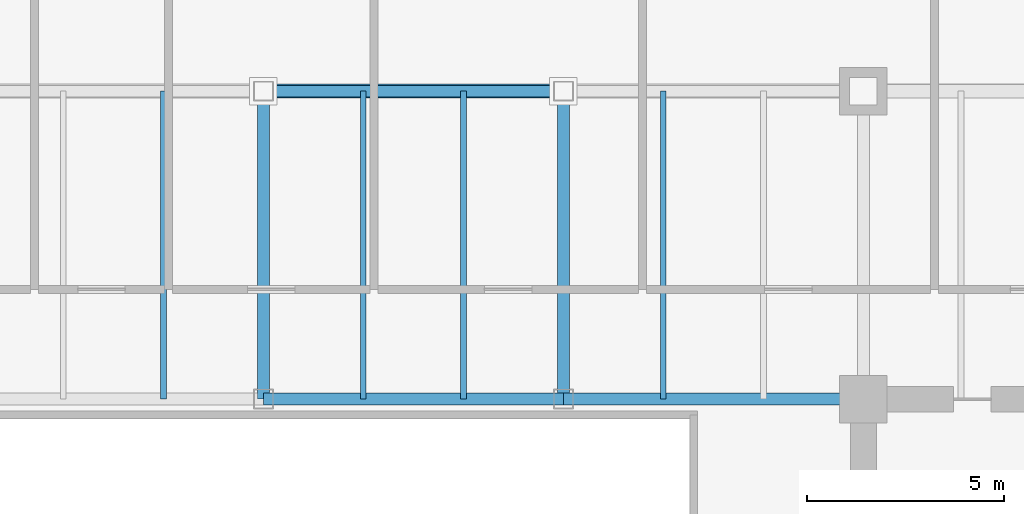
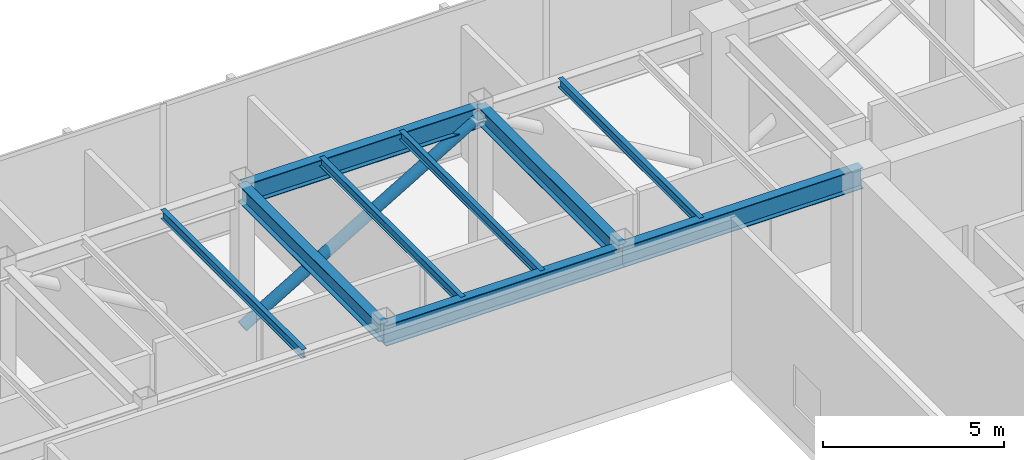
# One storey, part 17 of 34: 9 beams, 1 member.
"""IFC4 building model written with IfcOpenShell, lengths in metres."""

from ifc_helpers import new_model, si_unit, direction, frame, origin, origin_2d, place, context, subcontext, project, spatial, hollow_circle, i_section, extrude, source, transform, mapped, material, material_profile, profile_set, type_object, type_shapes, element, save


model = new_model("IFC4")

# Units and contexts
model_context = context("Model", 3, precision=1e-05, world=origin(), true_north=direction((0.0, 1.0)))
body_context = subcontext(model_context, "Body", "Model", "MODEL_VIEW")
ifc_project = project(units=[si_unit("LENGTHUNIT", "METRE"), si_unit("AREAUNIT", "SQUARE_METRE"), si_unit("VOLUMEUNIT", "CUBIC_METRE"), si_unit("PLANEANGLEUNIT", "RADIAN"), si_unit("MASSUNIT", "GRAM", prefix="KILO")], contexts=[model_context])

# Site, building, storey
site_placement = place(None, origin())
site = spatial("IfcSite", under=ifc_project, at=site_placement, CompositionType="ELEMENT")
building_placement = place(site_placement, origin())
building = spatial("IfcBuilding", under=site, at=building_placement, Name="Haelvirn Gate Laboratories", CompositionType="ELEMENT")
storey_placement = place(building_placement, frame((0.0, 0.0, 191.199951171875)))
storey = spatial("IfcBuildingStorey", under=building, at=storey_placement, Name="L46", CompositionType="ELEMENT", Elevation=191.199951171875)

# Beams
ifc_material = material(Name="Steel SM355", Category="steel")
ifc_material_profile_1 = material_profile(ifc_material, i_section(OverallWidth=0.300048828125, OverallDepth=0.699951171875, WebThickness=0.012939453125, FlangeThickness=0.02392578125, at=origin_2d()), Name="H-700x300x13x24")
ifc_profile_set_1 = profile_set([ifc_material_profile_1], Name="Steel SM355")
beam_type_1 = type_object("IfcBeamType", Name="BM-G-700", PredefinedType="BEAM", material=ifc_profile_set_1)
shared_shape_1 = source(origin(), body_context, "Body", "SweptSolid", [
    extrude(i_section(OverallWidth=0.300048828125, OverallDepth=0.699951171875, WebThickness=0.012939453125, FlangeThickness=0.02392578125, at=origin_2d()), origin(), (0.0, 0.0, 1.0), 7.60009765625),
])
type_shapes(beam_type_1, [shared_shape_1])
for number, where, z_axis, x_axis, name in (
    (1, (37.39990234375, 33.800048828125, 4.75), (1.0, 0.0, 0.0), (0.0, 1.0, 0.0), "L46 Primary Girder Y33.8 (37.4-45.0)"),
    (2, (45.0, 33.800048828125, 4.75), (1.0, 0.0, 0.0), (0.0, 1.0, 0.0), "L46 Primary Girder Y33.8 (45.0-52.6)"),
    (3, (37.39990234375, 41.60009765625, 4.75), (1.0, 0.0, 0.0), (0.0, 1.0, 0.0), "L46 Primary Girder Y41.6 (37.4-45.0)"),
):
    element("IfcBeam", number, at=place(storey_placement, frame(where, z_axis=z_axis, x_axis=x_axis)), inside=storey, type_object=beam_type_1, Name=name, PredefinedType="BEAM", context=body_context, shape_type="MappedRepresentation", body=[
        mapped(shared_shape_1, transform((0.0, 0.0, 0.0), scale=1.0)),
    ])
ifc_material_profile_2 = material_profile(ifc_material, i_section(OverallWidth=0.14990234375, OverallDepth=0.300048828125, WebThickness=0.006591796875, FlangeThickness=0.009033203125, at=origin_2d()), Name="H-300x150x6.5x9")
ifc_profile_set_2 = profile_set([ifc_material_profile_2], Name="Steel SM355")
beam_type_2 = type_object("IfcBeamType", Name="BM-J-300", PredefinedType="JOIST", material=ifc_profile_set_2)
shared_shape_2 = source(origin(), body_context, "Body", "SweptSolid", [
    extrude(i_section(OverallWidth=0.14990234375, OverallDepth=0.300048828125, WebThickness=0.006591796875, FlangeThickness=0.009033203125, at=origin_2d()), origin(), (0.0, 0.0, 1.0), 7.800048828125),
])
type_shapes(beam_type_2, [shared_shape_2])
for number, where, z_axis, x_axis, name in (
    (4, (34.8701171875, 33.800048828125, 4.949951171875), (0.0, 1.0, 0.0), (-1.0, 0.0, 0.0), "L46 Composite Lab Joist North X34.87"),
    (5, (39.929931640625, 33.800048828125, 4.949951171875), (0.0, 1.0, 0.0), (-1.0, 0.0, 0.0), "L46 Composite Lab Joist North X39.93"),
    (6, (42.469970703125, 33.800048828125, 4.949951171875), (0.0, 1.0, 0.0), (-1.0, 0.0, 0.0), "L46 Composite Lab Joist North X42.47"),
    (7, (47.530029296875, 33.800048828125, 4.949951171875), (0.0, 1.0, 0.0), (-1.0, 0.0, 0.0), "L46 Composite Lab Joist North X47.53"),
):
    element("IfcBeam", number, at=place(storey_placement, frame(where, z_axis=z_axis, x_axis=x_axis)), inside=storey, type_object=beam_type_2, Name=name, PredefinedType="JOIST", context=body_context, shape_type="MappedRepresentation", body=[
        mapped(shared_shape_2, transform((0.0, 0.0, 0.0), scale=1.0)),
    ])
ifc_material_profile_3 = material_profile(ifc_material, i_section(OverallWidth=0.300048828125, OverallDepth=0.587890625, WebThickness=0.011962890625, FlangeThickness=0.02001953125, at=origin_2d()), Name="H-588x300x12x20")
ifc_profile_set_3 = profile_set([ifc_material_profile_3], Name="Steel SM355")
beam_type_3 = type_object("IfcBeamType", Name="BM-G-588", PredefinedType="BEAM", material=ifc_profile_set_3)
shared_shape_3 = source(origin(), body_context, "Body", "SweptSolid", [
    extrude(i_section(OverallWidth=0.300048828125, OverallDepth=0.587890625, WebThickness=0.011962890625, FlangeThickness=0.02001953125, at=origin_2d()), origin(), (0.0, 0.0, 1.0), 7.800048828125),
])
type_shapes(beam_type_3, [shared_shape_3])
for number, where, z_axis, x_axis, name in (
    (8, (37.39990234375, 33.800048828125, 4.80615234375), (0.0, 1.0, 0.0), (-1.0, 0.0, 0.0), "L46 Frame Girder X37.4 (33.8-41.6)"),
    (9, (45.0, 33.800048828125, 4.80615234375), (0.0, 1.0, 0.0), (-1.0, 0.0, 0.0), "L46 Frame Girder X45.0 (33.8-41.6)"),
):
    element("IfcBeam", number, at=place(storey_placement, frame(where, z_axis=z_axis, x_axis=x_axis)), inside=storey, type_object=beam_type_3, Name=name, PredefinedType="BEAM", context=body_context, shape_type="MappedRepresentation", body=[
        mapped(shared_shape_3, transform((0.0, 0.0, 0.0), scale=1.0)),
    ])

# Member
ifc_material_profile_4 = material_profile(ifc_material, hollow_circle(Radius=0.177734375, WallThickness=0.013916015625, at=origin_2d()), Name="CHS-355x14")
ifc_profile_set_4 = profile_set([ifc_material_profile_4], Name="Steel SM355")
member_type = type_object("IfcMemberType", Name="MEM-BELT-1", PredefinedType="STRUT", material=ifc_profile_set_4)
shared_shape_4 = source(origin(), body_context, "Body", "SweptSolid", [
    extrude(hollow_circle(Radius=0.177734375, WallThickness=0.013916015625, at=origin_2d()), origin(), (0.0, 0.0, 1.0), 8.83251953125),
])
type_shapes(member_type, [shared_shape_4])
member_placement = place(storey_placement, frame((37.39990234375, 41.60009765625, 0.25), z_axis=(0.860478259115, 0.0, 0.509487159397), x_axis=(0.0, 1.0, 0.0)))
element("IfcMember", 10, at=member_placement, inside=storey, type_object=member_type, Name="L46 Perimeter Belt Truss N5", PredefinedType="STRUT", context=body_context, shape_type="MappedRepresentation", body=[
    mapped(shared_shape_4, transform((0.0, 0.0, 0.0), scale=1.0)),
])

save(model, "model.ifc")
